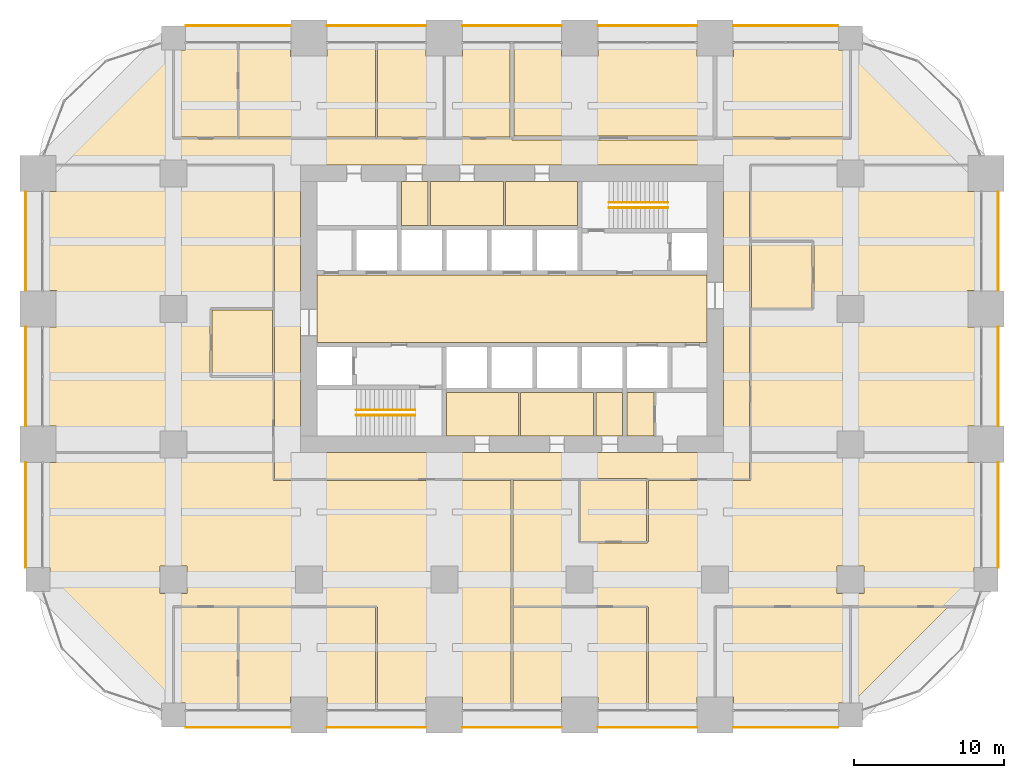
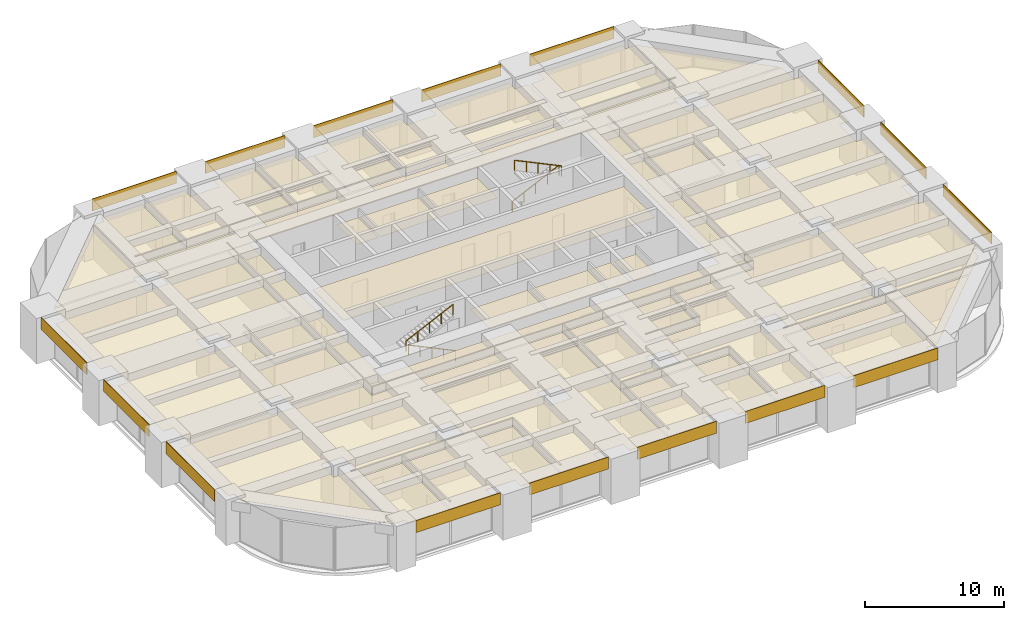
# One storey, part 42 of 42: 44 coverings, 4 railings.
"""IFC4 building model written with IfcOpenShell, lengths in metres."""

from ifc_helpers import new_model, si_unit, direction, frame, frame_2d, origin, origin_2d, place, context, subcontext, project, spatial, polyline, rectangle, circle, outline, extrude, material, layer, layer_set, type_object, element, save


model = new_model("IFC4")

# Units and contexts
model_context = context("Model", 3, precision=1e-05, world=origin(), true_north=direction((0.0, 1.0)))
body_context = subcontext(model_context, "Body", "Model", "MODEL_VIEW")
ifc_project = project(units=[si_unit("LENGTHUNIT", "METRE"), si_unit("AREAUNIT", "SQUARE_METRE"), si_unit("VOLUMEUNIT", "CUBIC_METRE"), si_unit("PLANEANGLEUNIT", "RADIAN"), si_unit("MASSUNIT", "GRAM", prefix="KILO")], contexts=[model_context])

# Site, building, storey
site_placement = place(None, origin())
site = spatial("IfcSite", under=ifc_project, at=site_placement, CompositionType="ELEMENT")
building_placement = place(site_placement, origin())
building = spatial("IfcBuilding", under=site, at=building_placement, Name="Zorevar Civic Tower", CompositionType="ELEMENT")
storey_placement = place(building_placement, frame((0.0, 0.0, 149.0)))
storey = spatial("IfcBuildingStorey", under=building, at=storey_placement, Name="L36", CompositionType="ELEMENT", Elevation=149.0)

# Railings
ifc_material_1 = material(Name="Black steel handrail", Category="steel")
railing_type = type_object("IfcRailingType", Name="Handrail HR1 900", PredefinedType="HANDRAIL", material=ifc_material_1)
railing_1_placement = place(storey_placement, frame((25.050048828125, 19.925048828125, 0.142822265625)))
element("IfcRailing", 1, at=railing_1_placement, inside=storey, type_object=railing_type, Name="Handrail HR1 ST1 L36", PredefinedType="HANDRAIL", context=body_context, shape_type="SweptSolid", body=[
    extrude(circle(Radius=0.02392578125, at=origin_2d()), frame((0.0, 0.0, 0.8759765625), z_axis=(-0.902863652845, 0.0, 0.429926998885), x_axis=(0.0, -1.0, 0.0)), (0.0, 0.0, 1.0), 4.31982421875),
    extrude(circle(Radius=0.02099609375, at=origin_2d()), origin(), (0.0, 0.0, 1.0), 0.851806640625),
    extrude(circle(Radius=0.02099609375, at=origin_2d()), frame((-0.97509765625, 0.0, 0.46435546875)), (0.0, 0.0, 1.0), 0.851806640625),
    extrude(circle(Radius=0.02099609375, at=origin_2d()), frame((-1.9501953125, 0.0, 0.9287109375)), (0.0, 0.0, 1.0), 0.851806640625),
    extrude(circle(Radius=0.02099609375, at=origin_2d()), frame((-2.925048828125, 0.0, 1.392822265625)), (0.0, 0.0, 1.0), 0.851806640625),
    extrude(circle(Radius=0.02099609375, at=origin_2d()), frame((-3.900146484375, 0.0, 1.857177734375)), (0.0, 0.0, 1.0), 0.851806640625),
])
for number, where, name in (
    (2, (21.14990234375, 20.27490234375, 2.142822265625), "Handrail HR1 ST1 L36"),
    (3, (37.949951171875, 34.074951171875, 0.142822265625), "Handrail HR1 ST2 L36"),
):
    element("IfcRailing", number, at=place(storey_placement, frame(where)), inside=storey, type_object=railing_type, Name=name, PredefinedType="HANDRAIL", context=body_context, shape_type="SweptSolid", body=[
        extrude(circle(Radius=0.02392578125, at=origin_2d()), frame((0.0, 0.0, 0.8759765625), z_axis=(0.902863652845, 0.0, 0.429926998885), x_axis=(0.0, 1.0, 0.0)), (0.0, 0.0, 1.0), 4.31982421875),
        extrude(circle(Radius=0.02099609375, at=origin_2d()), origin(), (0.0, 0.0, 1.0), 0.851806640625),
        extrude(circle(Radius=0.02099609375, at=origin_2d()), frame((0.97509765625, 0.0, 0.46435546875)), (0.0, 0.0, 1.0), 0.851806640625),
        extrude(circle(Radius=0.02099609375, at=origin_2d()), frame((1.9501953125, 0.0, 0.9287109375)), (0.0, 0.0, 1.0), 0.851806640625),
        extrude(circle(Radius=0.02099609375, at=origin_2d()), frame((2.925048828125, 0.0, 1.392822265625)), (0.0, 0.0, 1.0), 0.851806640625),
        extrude(circle(Radius=0.02099609375, at=origin_2d()), frame((3.900146484375, 0.0, 1.857177734375)), (0.0, 0.0, 1.0), 0.851806640625),
    ])
railing_2_placement = place(storey_placement, frame((41.85009765625, 33.72509765625, 2.142822265625)))
element("IfcRailing", 4, at=railing_2_placement, inside=storey, type_object=railing_type, Name="Handrail HR1 ST2 L36", PredefinedType="HANDRAIL", context=body_context, shape_type="SweptSolid", body=[
    extrude(circle(Radius=0.02392578125, at=origin_2d()), frame((0.0, 0.0, 0.8759765625), z_axis=(-0.902863652845, 0.0, 0.429926998885), x_axis=(0.0, -1.0, 0.0)), (0.0, 0.0, 1.0), 4.31982421875),
    extrude(circle(Radius=0.02099609375, at=origin_2d()), origin(), (0.0, 0.0, 1.0), 0.851806640625),
    extrude(circle(Radius=0.02099609375, at=origin_2d()), frame((-0.97509765625, 0.0, 0.46435546875)), (0.0, 0.0, 1.0), 0.851806640625),
    extrude(circle(Radius=0.02099609375, at=origin_2d()), frame((-1.9501953125, 0.0, 0.9287109375)), (0.0, 0.0, 1.0), 0.851806640625),
    extrude(circle(Radius=0.02099609375, at=origin_2d()), frame((-2.925048828125, 0.0, 1.392822265625)), (0.0, 0.0, 1.0), 0.851806640625),
    extrude(circle(Radius=0.02099609375, at=origin_2d()), frame((-3.900146484375, 0.0, 1.857177734375)), (0.0, 0.0, 1.0), 0.851806640625),
])

# Coverings
ifc_material_2 = material(Name="Moisture-resistant gypsum board")
ifc_layer_1 = layer(ifc_material_2, 0.012451171875)
ifc_layer_set_1 = layer_set([ifc_layer_1], Name="Moisture-resistant ceiling SC3")
covering_type_1 = type_object("IfcCoveringType", Name="Moisture-resistant ceiling SC3", PredefinedType="CEILING", material=ifc_layer_set_1)
covering_1_placement = place(storey_placement, frame((0.0, 0.0, 3.0)))
element("IfcCovering", 5, at=covering_1_placement, inside=storey, type_object=covering_type_1, Name="Ceiling L36-05", PredefinedType="CEILING", context=body_context, shape_type="SweptSolid", body=[
    extrude(outline(polyline([(31.925048828125, 18.550048828125), (31.925048828125, 21.449951171875), (27.14990234375, 21.449951171875), (27.14990234375, 18.550048828125), (31.925048828125, 18.550048828125)])), origin(), (0.0, 0.0, 1.0), 0.012451171875),
])
covering_2_placement = place(storey_placement, frame((0.0, 0.0, 3.0)))
element("IfcCovering", 6, at=covering_2_placement, inside=storey, type_object=covering_type_1, Name="Ceiling L36-06", PredefinedType="CEILING", context=body_context, shape_type="SweptSolid", body=[
    extrude(outline(polyline([(36.925048828125, 18.550048828125), (36.925048828125, 21.449951171875), (32.074951171875, 21.449951171875), (32.074951171875, 18.550048828125), (36.925048828125, 18.550048828125)])), origin(), (0.0, 0.0, 1.0), 0.012451171875),
])
covering_3_placement = place(storey_placement, frame((0.0, 0.0, 3.0)))
element("IfcCovering", 7, at=covering_3_placement, inside=storey, type_object=covering_type_1, Name="Ceiling L36-07", PredefinedType="CEILING", context=body_context, shape_type="SweptSolid", body=[
    extrude(outline(polyline([(38.85009765625, 18.550048828125), (38.85009765625, 21.449951171875), (37.074951171875, 21.449951171875), (37.074951171875, 18.550048828125), (38.85009765625, 18.550048828125)])), origin(), (0.0, 0.0, 1.0), 0.012451171875),
])
covering_4_placement = place(storey_placement, frame((0.0, 0.0, 3.0)))
element("IfcCovering", 8, at=covering_4_placement, inside=storey, type_object=covering_type_1, Name="Ceiling L36-08", PredefinedType="CEILING", context=body_context, shape_type="SweptSolid", body=[
    extrude(outline(polyline([(35.85009765625, 32.550048828125), (35.85009765625, 35.449951171875), (31.074951171875, 35.449951171875), (31.074951171875, 32.550048828125), (35.85009765625, 32.550048828125)])), origin(), (0.0, 0.0, 1.0), 0.012451171875),
])
covering_5_placement = place(storey_placement, frame((0.0, 0.0, 3.0)))
element("IfcCovering", 9, at=covering_5_placement, inside=storey, type_object=covering_type_1, Name="Ceiling L36-09", PredefinedType="CEILING", context=body_context, shape_type="SweptSolid", body=[
    extrude(outline(polyline([(30.925048828125, 32.550048828125), (30.925048828125, 35.449951171875), (26.074951171875, 35.449951171875), (26.074951171875, 32.550048828125), (30.925048828125, 32.550048828125)])), origin(), (0.0, 0.0, 1.0), 0.012451171875),
])
covering_6_placement = place(storey_placement, frame((0.0, 0.0, 3.0)))
element("IfcCovering", 10, at=covering_6_placement, inside=storey, type_object=covering_type_1, Name="Ceiling L36-10", PredefinedType="CEILING", context=body_context, shape_type="SweptSolid", body=[
    extrude(outline(polyline([(25.925048828125, 32.550048828125), (25.925048828125, 35.449951171875), (24.14990234375, 35.449951171875), (24.14990234375, 32.550048828125), (25.925048828125, 32.550048828125)])), origin(), (0.0, 0.0, 1.0), 0.012451171875),
])
ifc_material_3 = material(Name="Black anodised aluminium spandrel panel", Category="aluminium")
ifc_layer_2 = layer(ifc_material_3, 0.050048828125)
ifc_layer_set_2 = layer_set([ifc_layer_2], Name="Spandrel cladding SP1")
covering_type_2 = type_object("IfcCoveringType", Name="Spandrel cladding SP1", PredefinedType="CLADDING", material=ifc_layer_set_2)
covering_7_placement = place(storey_placement, frame((9.800048828125, -0.824951171875, 2.949951171875), z_axis=(0.0, 0.0, 1.0), x_axis=(1.0, 0.0, 0.0)))
element("IfcCovering", 11, at=covering_7_placement, inside=storey, type_object=covering_type_2, Name="Spandrel cladding L37", PredefinedType="CLADDING", context=body_context, shape_type="SweptSolid", body=[
    extrude(rectangle(XDim=7.0, YDim=0.050048828125, at=frame_2d((3.5, 0.0))), origin(), (0.0, 0.0, 1.0), 1.050048828125),
])
for number, where, z_axis, x_axis, name in (
    (12, (19.199951171875, -0.824951171875, 2.949951171875), (0.0, 0.0, 1.0), (1.0, 0.0, 0.0), "Spandrel cladding L37"),
    (13, (28.199951171875, -0.824951171875, 2.949951171875), (0.0, 0.0, 1.0), (1.0, 0.0, 0.0), "Spandrel cladding L37"),
    (14, (37.199951171875, -0.824951171875, 2.949951171875), (0.0, 0.0, 1.0), (1.0, 0.0, 0.0), "Spandrel cladding L37"),
):
    element("IfcCovering", number, at=place(storey_placement, frame(where, z_axis=z_axis, x_axis=x_axis)), inside=storey, type_object=covering_type_2, Name=name, PredefinedType="CLADDING", context=body_context, shape_type="SweptSolid", body=[
        extrude(rectangle(XDim=6.60009765625, YDim=0.050048828125, at=frame_2d((3.300048828125, 0.0))), origin(), (0.0, 0.0, 1.0), 1.050048828125),
    ])
for number, where, z_axis, x_axis, name in (
    (15, (46.199951171875, -0.824951171875, 2.949951171875), (0.0, 0.0, 1.0), (1.0, 0.0, 0.0), "Spandrel cladding L37"),
    (16, (9.800048828125, 45.824951171875, 2.949951171875), (0.0, 0.0, 1.0), (1.0, 0.0, 0.0), "Spandrel cladding L37"),
):
    element("IfcCovering", number, at=place(storey_placement, frame(where, z_axis=z_axis, x_axis=x_axis)), inside=storey, type_object=covering_type_2, Name=name, PredefinedType="CLADDING", context=body_context, shape_type="SweptSolid", body=[
        extrude(rectangle(XDim=7.0, YDim=0.050048828125, at=frame_2d((3.5, 0.0))), origin(), (0.0, 0.0, 1.0), 1.050048828125),
    ])
for number, where, z_axis, x_axis, name in (
    (17, (19.199951171875, 45.824951171875, 2.949951171875), (0.0, 0.0, 1.0), (1.0, 0.0, 0.0), "Spandrel cladding L37"),
    (18, (28.199951171875, 45.824951171875, 2.949951171875), (0.0, 0.0, 1.0), (1.0, 0.0, 0.0), "Spandrel cladding L37"),
    (19, (37.199951171875, 45.824951171875, 2.949951171875), (0.0, 0.0, 1.0), (1.0, 0.0, 0.0), "Spandrel cladding L37"),
):
    element("IfcCovering", number, at=place(storey_placement, frame(where, z_axis=z_axis, x_axis=x_axis)), inside=storey, type_object=covering_type_2, Name=name, PredefinedType="CLADDING", context=body_context, shape_type="SweptSolid", body=[
        extrude(rectangle(XDim=6.60009765625, YDim=0.050048828125, at=frame_2d((3.300048828125, 0.0))), origin(), (0.0, 0.0, 1.0), 1.050048828125),
    ])
for number, where, z_axis, x_axis, name in (
    (20, (46.199951171875, 45.824951171875, 2.949951171875), (0.0, 0.0, 1.0), (1.0, 0.0, 0.0), "Spandrel cladding L37"),
    (21, (-0.824951171875, 9.800048828125, 2.949951171875), (0.0, 0.0, 1.0), (0.0, 1.0, 0.0), "Spandrel cladding L37"),
):
    element("IfcCovering", number, at=place(storey_placement, frame(where, z_axis=z_axis, x_axis=x_axis)), inside=storey, type_object=covering_type_2, Name=name, PredefinedType="CLADDING", context=body_context, shape_type="SweptSolid", body=[
        extrude(rectangle(XDim=7.0, YDim=0.050048828125, at=frame_2d((3.5, 0.0))), origin(), (0.0, 0.0, 1.0), 1.050048828125),
    ])
for number, where, z_axis, x_axis, name in (
    (22, (-0.824951171875, 19.199951171875, 2.949951171875), (0.0, 0.0, 1.0), (0.0, 1.0, 0.0), "Spandrel cladding L37"),
    (23, (-0.824951171875, 28.199951171875, 2.949951171875), (0.0, 0.0, 1.0), (0.0, 1.0, 0.0), "Spandrel cladding L37"),
):
    element("IfcCovering", number, at=place(storey_placement, frame(where, z_axis=z_axis, x_axis=x_axis)), inside=storey, type_object=covering_type_2, Name=name, PredefinedType="CLADDING", context=body_context, shape_type="SweptSolid", body=[
        extrude(rectangle(XDim=6.60009765625, YDim=0.050048828125, at=frame_2d((3.300048828125, 0.0))), origin(), (0.0, 0.0, 1.0), 1.050048828125),
    ])
covering_8_placement = place(storey_placement, frame((63.824951171875, 9.800048828125, 2.949951171875), z_axis=(0.0, 0.0, 1.0), x_axis=(0.0, 1.0, 0.0)))
element("IfcCovering", 24, at=covering_8_placement, inside=storey, type_object=covering_type_2, Name="Spandrel cladding L37", PredefinedType="CLADDING", context=body_context, shape_type="SweptSolid", body=[
    extrude(rectangle(XDim=7.0, YDim=0.050048828125, at=frame_2d((3.5, 0.0))), origin(), (0.0, 0.0, 1.0), 1.050048828125),
])
for number, where, z_axis, x_axis, name in (
    (25, (63.824951171875, 19.199951171875, 2.949951171875), (0.0, 0.0, 1.0), (0.0, 1.0, 0.0), "Spandrel cladding L37"),
    (26, (63.824951171875, 28.199951171875, 2.949951171875), (0.0, 0.0, 1.0), (0.0, 1.0, 0.0), "Spandrel cladding L37"),
):
    element("IfcCovering", number, at=place(storey_placement, frame(where, z_axis=z_axis, x_axis=x_axis)), inside=storey, type_object=covering_type_2, Name=name, PredefinedType="CLADDING", context=body_context, shape_type="SweptSolid", body=[
        extrude(rectangle(XDim=6.60009765625, YDim=0.050048828125, at=frame_2d((3.300048828125, 0.0))), origin(), (0.0, 0.0, 1.0), 1.050048828125),
    ])
ifc_material_4 = material(Name="Mineral fibre tiles on a concealed grid")
ifc_layer_3 = layer(ifc_material_4, 0.02001953125)
ifc_layer_set_3 = layer_set([ifc_layer_3], Name="Suspended ceiling SC1")
covering_type_3 = type_object("IfcCoveringType", Name="Suspended ceiling SC1", PredefinedType="CEILING", material=ifc_layer_set_3)
covering_9_placement = place(storey_placement, frame((0.0, 0.0, 3.0)))
element("IfcCovering", 27, at=covering_9_placement, inside=storey, type_object=covering_type_3, Name="Ceiling L36-11", PredefinedType="CEILING", context=body_context, shape_type="SweptSolid", body=[
    extrude(outline(polyline([(40.93994140625, 18.550048828125), (40.93994140625, 21.449951171875), (39.14990234375, 21.449951171875), (39.14990234375, 18.550048828125), (40.93994140625, 18.550048828125)])), origin(), (0.0, 0.0, 1.0), 0.02001953125),
])
covering_10_placement = place(storey_placement, frame((0.0, 0.0, 3.0)))
element("IfcCovering", 28, at=covering_10_placement, inside=storey, type_object=covering_type_3, Name="Ceiling L36-16", PredefinedType="CEILING", context=body_context, shape_type="SweptSolid", body=[
    extrude(outline(polyline([(44.449951171875, 24.75), (44.449951171875, 29.25), (18.550048828125, 29.25), (18.550048828125, 24.75), (44.449951171875, 24.75)])), origin(), (0.0, 0.0, 1.0), 0.02001953125),
])
covering_11_placement = place(storey_placement, frame((0.0, 0.0, 3.0)))
element("IfcCovering", 29, at=covering_11_placement, inside=storey, type_object=covering_type_3, Name="Ceiling L36-17", PredefinedType="CEILING", context=body_context, shape_type="SweptSolid", body=[
    extrude(outline(polyline([(9.06005859375, 38.409912109375), (9.06005859375, 44.18994140625), (9.81005859375, 44.18994140625), (9.81005859375, 44.64990234375), (13.239990234375, 44.64990234375), (13.239990234375, 38.409912109375), (9.06005859375, 38.409912109375)])), origin(), (0.0, 0.0, 1.0), 0.02001953125),
])
covering_12_placement = place(storey_placement, frame((0.0, 0.0, 3.0)))
element("IfcCovering", 30, at=covering_12_placement, inside=storey, type_object=covering_type_3, Name="Ceiling L36-18", PredefinedType="CEILING", context=body_context, shape_type="SweptSolid", body=[
    extrude(outline(polyline([(13.360107421875, 38.409912109375), (13.360107421875, 44.64990234375), (16.7900390625, 44.64990234375), (16.7900390625, 43.7900390625), (19.2099609375, 43.7900390625), (19.2099609375, 44.64990234375), (22.43994140625, 44.64990234375), (22.43994140625, 38.409912109375), (13.360107421875, 38.409912109375)])), origin(), (0.0, 0.0, 1.0), 0.02001953125),
])
covering_13_placement = place(storey_placement, frame((0.0, 0.0, 3.0)))
element("IfcCovering", 31, at=covering_13_placement, inside=storey, type_object=covering_type_3, Name="Ceiling L36-19", PredefinedType="CEILING", context=body_context, shape_type="SweptSolid", body=[
    extrude(outline(polyline([(22.56005859375, 38.409912109375), (22.56005859375, 44.64990234375), (25.7900390625, 44.64990234375), (25.7900390625, 43.7900390625), (26.93994140625, 43.7900390625), (26.93994140625, 38.409912109375), (22.56005859375, 38.409912109375)])), origin(), (0.0, 0.0, 1.0), 0.02001953125),
])
covering_14_placement = place(storey_placement, frame((0.0, 0.0, 3.0)))
element("IfcCovering", 32, at=covering_14_placement, inside=storey, type_object=covering_type_3, Name="Ceiling L36-20", PredefinedType="CEILING", context=body_context, shape_type="SweptSolid", body=[
    extrude(outline(polyline([(27.06005859375, 38.409912109375), (27.06005859375, 43.7900390625), (28.2099609375, 43.7900390625), (28.2099609375, 44.64990234375), (31.375, 44.64990234375), (31.375, 38.409912109375), (27.06005859375, 38.409912109375)])), origin(), (0.0, 0.0, 1.0), 0.02001953125),
])
covering_15_placement = place(storey_placement, frame((0.0, 0.0, 3.0)))
element("IfcCovering", 33, at=covering_15_placement, inside=storey, type_object=covering_type_3, Name="Ceiling L36-21", PredefinedType="CEILING", context=body_context, shape_type="SweptSolid", body=[
    extrude(outline(polyline([(34.7900390625, 44.64990234375), (34.7900390625, 43.7900390625), (37.2099609375, 43.7900390625), (37.2099609375, 44.64990234375), (43.7900390625, 44.64990234375), (43.7900390625, 43.7900390625), (44.875, 43.7900390625), (44.875, 38.47509765625), (31.625, 38.47509765625), (31.625, 44.64990234375), (34.7900390625, 44.64990234375)])), origin(), (0.0, 0.0, 1.0), 0.02001953125),
])
covering_16_placement = place(storey_placement, frame((0.0, 0.0, 3.0)))
element("IfcCovering", 34, at=covering_16_placement, inside=storey, type_object=covering_type_3, Name="Ceiling L36-22", PredefinedType="CEILING", context=body_context, shape_type="SweptSolid", body=[
    extrude(outline(polyline([(46.2099609375, 43.7900390625), (46.2099609375, 44.64990234375), (53.18994140625, 44.64990234375), (53.18994140625, 44.18994140625), (53.93994140625, 44.18994140625), (53.93994140625, 38.409912109375), (45.125, 38.409912109375), (45.125, 43.7900390625), (46.2099609375, 43.7900390625)])), origin(), (0.0, 0.0, 1.0), 0.02001953125),
])
covering_17_placement = place(storey_placement, frame((0.0, 0.0, 3.0)))
element("IfcCovering", 35, at=covering_17_placement, inside=storey, type_object=covering_type_3, Name="Ceiling L36-23", PredefinedType="CEILING", context=body_context, shape_type="SweptSolid", body=[
    extrude(outline(polyline([(13.239990234375, 7.139892578125), (13.239990234375, 0.35009765625), (9.81005859375, 0.35009765625), (9.81005859375, 0.81005859375), (9.06005859375, 0.81005859375), (9.06005859375, 7.139892578125), (13.239990234375, 7.139892578125)])), origin(), (0.0, 0.0, 1.0), 0.02001953125),
])
covering_18_placement = place(storey_placement, frame((0.0, 0.0, 3.0)))
element("IfcCovering", 36, at=covering_18_placement, inside=storey, type_object=covering_type_3, Name="Ceiling L36-24", PredefinedType="CEILING", context=body_context, shape_type="SweptSolid", body=[
    extrude(outline(polyline([(22.43994140625, 7.139892578125), (22.43994140625, 0.35009765625), (19.2099609375, 0.35009765625), (19.2099609375, 1.2099609375), (16.7900390625, 1.2099609375), (16.7900390625, 0.35009765625), (13.360107421875, 0.35009765625), (13.360107421875, 7.139892578125), (22.43994140625, 7.139892578125)])), origin(), (0.0, 0.0, 1.0), 0.02001953125),
])
covering_19_placement = place(storey_placement, frame((0.0, 0.0, 3.0)))
element("IfcCovering", 37, at=covering_19_placement, inside=storey, type_object=covering_type_3, Name="Ceiling L36-25", PredefinedType="CEILING", context=body_context, shape_type="SweptSolid", body=[
    extrude(outline(polyline([(40.43994140625, 7.139892578125), (40.43994140625, 0.35009765625), (37.2099609375, 0.35009765625), (37.2099609375, 1.2099609375), (34.7900390625, 1.2099609375), (34.7900390625, 0.35009765625), (31.56005859375, 0.35009765625), (31.56005859375, 7.139892578125), (40.43994140625, 7.139892578125)])), origin(), (0.0, 0.0, 1.0), 0.02001953125),
])
covering_20_placement = place(storey_placement, frame((0.0, 0.0, 3.0)))
element("IfcCovering", 38, at=covering_20_placement, inside=storey, type_object=covering_type_3, Name="Ceiling L36-26", PredefinedType="CEILING", context=body_context, shape_type="SweptSolid", body=[
    extrude(outline(polyline([(46.2099609375, 0.35009765625), (46.2099609375, 1.2099609375), (45.06005859375, 1.2099609375), (45.06005859375, 7.139892578125), (53.93994140625, 7.139892578125), (53.93994140625, 0.81005859375), (53.18994140625, 0.81005859375), (53.18994140625, 0.35009765625), (46.2099609375, 0.35009765625)])), origin(), (0.0, 0.0, 1.0), 0.02001953125),
])
covering_21_placement = place(storey_placement, frame((0.0, 0.0, 3.0)))
element("IfcCovering", 39, at=covering_21_placement, inside=storey, type_object=covering_type_3, Name="Ceiling L36-27", PredefinedType="CEILING", context=body_context, shape_type="SweptSolid", body=[
    extrude(outline(polyline([(36.06005859375, 15.590087890625), (40.43994140625, 15.590087890625), (40.43994140625, 11.550048828125), (36.06005859375, 11.550048828125), (36.06005859375, 15.590087890625)])), origin(), (0.0, 0.0, 1.0), 0.02001953125),
])
covering_22_placement = place(storey_placement, frame((0.0, 0.0, 3.0)))
element("IfcCovering", 40, at=covering_22_placement, inside=storey, type_object=covering_type_3, Name="Ceiling L36-28", PredefinedType="CEILING", context=body_context, shape_type="SweptSolid", body=[
    extrude(outline(polyline([(15.590087890625, 26.93994140625), (15.590087890625, 22.56005859375), (11.56005859375, 22.56005859375), (11.56005859375, 26.93994140625), (15.590087890625, 26.93994140625)])), origin(), (0.0, 0.0, 1.0), 0.02001953125),
])
covering_23_placement = place(storey_placement, frame((0.0, 0.0, 3.0)))
element("IfcCovering", 41, at=covering_23_placement, inside=storey, type_object=covering_type_3, Name="Ceiling L36-29", PredefinedType="CEILING", context=body_context, shape_type="SweptSolid", body=[
    extrude(outline(polyline([(51.43994140625, 27.06005859375), (47.409912109375, 27.06005859375), (47.409912109375, 31.43994140625), (51.43994140625, 31.43994140625), (51.43994140625, 27.06005859375)])), origin(), (0.0, 0.0, 1.0), 0.02001953125),
])
covering_24_placement = place(storey_placement, frame((0.0, 0.0, 3.0)))
element("IfcCovering", 42, at=covering_24_placement, inside=storey, type_object=covering_type_3, Name="Ceiling L36-30", PredefinedType="CEILING", context=body_context, shape_type="SweptSolid", body=[
    extrude(outline(polyline([(54.06005859375, 0.81005859375), (54.06005859375, 7.139892578125), (60.432861328125, 7.139892578125), (54.102783203125, 0.81005859375), (54.06005859375, 0.81005859375)])), origin(), (0.0, 0.0, 1.0), 0.02001953125),
])
covering_25_placement = place(storey_placement, frame((0.0, 0.0, 3.0)))
element("IfcCovering", 43, at=covering_25_placement, inside=storey, type_object=covering_type_3, Name="Ceiling L36-31", PredefinedType="CEILING", context=body_context, shape_type="SweptSolid", body=[
    extrude(outline(polyline([(47.300048828125, 31.5), (47.2900390625, 31.5), (47.2900390625, 27.0), (47.300048828125, 27.0), (47.300048828125, 15.699951171875), (40.5, 15.699951171875), (40.5, 15.7099609375), (36.0, 15.7099609375), (36.0, 15.699951171875), (15.699951171875, 15.699951171875), (15.699951171875, 22.5), (15.7099609375, 22.5), (15.7099609375, 27.0), (15.699951171875, 27.0), (15.699951171875, 36.550048828125), (17.449951171875, 36.550048828125), (17.449951171875, 17.449951171875), (45.550048828125, 17.449951171875), (45.550048828125, 36.550048828125), (47.300048828125, 36.550048828125), (47.300048828125, 31.5)])), origin(), (0.0, 0.0, 1.0), 0.02001953125),
])
covering_26_placement = place(storey_placement, frame((0.0, 0.0, 3.0)))
element("IfcCovering", 44, at=covering_26_placement, inside=storey, type_object=covering_type_3, Name="Ceiling L36-32", PredefinedType="CEILING", context=body_context, shape_type="SweptSolid", body=[
    extrude(outline(polyline([(51.5, 31.56005859375), (47.39990234375, 31.56005859375), (47.39990234375, 36.5), (53.090087890625, 36.5), (53.090087890625, 35.090087890625), (54.909912109375, 35.090087890625), (54.909912109375, 36.5), (61.7900390625, 36.5), (61.7900390625, 34.7900390625), (62.64990234375, 34.7900390625), (62.64990234375, 28.2099609375), (61.7900390625, 28.2099609375), (61.7900390625, 25.7900390625), (62.64990234375, 25.7900390625), (62.64990234375, 19.2099609375), (61.7900390625, 19.2099609375), (61.7900390625, 17.5), (54.909912109375, 17.5), (54.909912109375, 18.909912109375), (53.090087890625, 18.909912109375), (53.090087890625, 17.5), (47.39990234375, 17.5), (47.39990234375, 26.93994140625), (51.5, 26.93994140625), (51.5, 27.0), (51.56005859375, 27.0), (51.56005859375, 31.5), (51.5, 31.5), (51.5, 31.56005859375)]), holes=[polyline([(54.909912109375, 27.909912109375), (53.090087890625, 27.909912109375), (53.090087890625, 26.090087890625), (54.909912109375, 26.090087890625), (54.909912109375, 27.909912109375)])]), origin(), (0.0, 0.0, 1.0), 0.02001953125),
])
covering_27_placement = place(storey_placement, frame((0.0, 0.0, 3.0)))
element("IfcCovering", 45, at=covering_27_placement, inside=storey, type_object=covering_type_3, Name="Ceiling L36-33", PredefinedType="CEILING", context=body_context, shape_type="SweptSolid", body=[
    extrude(outline(polyline([(9.0, 38.35009765625), (9.0, 38.2900390625), (31.5, 38.2900390625), (31.5, 38.22509765625), (45.0, 38.22509765625), (45.0, 38.2900390625), (54.0, 38.2900390625), (54.0, 38.35009765625), (54.06005859375, 38.35009765625), (54.06005859375, 44.18994140625), (54.102783203125, 44.18994140625), (61.69287109375, 36.60009765625), (54.909912109375, 36.60009765625), (54.909912109375, 36.909912109375), (53.090087890625, 36.909912109375), (53.090087890625, 36.60009765625), (47.35009765625, 36.60009765625), (47.35009765625, 36.550048828125), (15.64990234375, 36.550048828125), (15.64990234375, 36.60009765625), (9.909912109375, 36.60009765625), (9.909912109375, 36.909912109375), (8.090087890625, 36.909912109375), (8.090087890625, 36.60009765625), (1.30712890625, 36.60009765625), (8.897216796875, 44.18994140625), (8.93994140625, 44.18994140625), (8.93994140625, 38.35009765625), (9.0, 38.35009765625)])), origin(), (0.0, 0.0, 1.0), 0.02001953125),
])
covering_28_placement = place(storey_placement, frame((0.0, 0.0, 3.0)))
element("IfcCovering", 46, at=covering_28_placement, inside=storey, type_object=covering_type_3, Name="Ceiling L36-34", PredefinedType="CEILING", context=body_context, shape_type="SweptSolid", body=[
    extrude(outline(polyline([(0.81005859375, 9.81005859375), (0.35009765625, 9.81005859375), (0.35009765625, 16.7900390625), (1.2099609375, 16.7900390625), (1.2099609375, 17.39990234375), (8.090087890625, 17.39990234375), (8.090087890625, 17.090087890625), (9.909912109375, 17.090087890625), (9.909912109375, 17.39990234375), (15.60009765625, 17.39990234375), (15.60009765625, 15.64990234375), (15.64990234375, 15.64990234375), (15.64990234375, 15.60009765625), (31.449951171875, 15.60009765625), (31.449951171875, 7.199951171875), (31.43994140625, 7.199951171875), (31.43994140625, 0.35009765625), (28.2099609375, 0.35009765625), (28.2099609375, 1.2099609375), (25.7900390625, 1.2099609375), (25.7900390625, 0.35009765625), (22.56005859375, 0.35009765625), (22.56005859375, 7.199951171875), (22.5, 7.199951171875), (22.5, 7.260009765625), (9.0, 7.260009765625), (9.0, 7.199951171875), (8.93994140625, 7.199951171875), (8.93994140625, 0.81005859375), (8.897216796875, 0.81005859375), (0.81005859375, 8.897216796875), (0.81005859375, 9.81005859375)]), holes=[polyline([(8.090087890625, 9.909912109375), (8.090087890625, 8.090087890625), (9.909912109375, 8.090087890625), (9.909912109375, 9.909912109375), (8.090087890625, 9.909912109375)]), polyline([(18.909912109375, 8.090087890625), (18.909912109375, 9.909912109375), (17.090087890625, 9.909912109375), (17.090087890625, 8.090087890625), (18.909912109375, 8.090087890625)]), polyline([(26.090087890625, 9.909912109375), (26.090087890625, 8.090087890625), (27.909912109375, 8.090087890625), (27.909912109375, 9.909912109375), (26.090087890625, 9.909912109375)])]), origin(), (0.0, 0.0, 1.0), 0.02001953125),
])
covering_29_placement = place(storey_placement, frame((0.0, 0.0, 3.0)))
element("IfcCovering", 47, at=covering_29_placement, inside=storey, type_object=covering_type_3, Name="Ceiling L36-35", PredefinedType="CEILING", context=body_context, shape_type="SweptSolid", body=[
    extrude(outline(polyline([(47.39990234375, 15.64990234375), (47.39990234375, 17.39990234375), (53.090087890625, 17.39990234375), (53.090087890625, 17.090087890625), (54.909912109375, 17.090087890625), (54.909912109375, 17.39990234375), (61.7900390625, 17.39990234375), (61.7900390625, 16.7900390625), (62.64990234375, 16.7900390625), (62.64990234375, 9.81005859375), (62.18994140625, 9.81005859375), (62.18994140625, 8.897216796875), (60.552978515625, 7.260009765625), (45.0, 7.260009765625), (45.0, 7.199951171875), (44.93994140625, 7.199951171875), (44.93994140625, 1.2099609375), (43.7900390625, 1.2099609375), (43.7900390625, 0.35009765625), (40.56005859375, 0.35009765625), (40.56005859375, 7.199951171875), (40.5, 7.199951171875), (40.5, 7.260009765625), (31.550048828125, 7.260009765625), (31.550048828125, 15.60009765625), (35.93994140625, 15.60009765625), (35.93994140625, 11.5), (36.0, 11.5), (36.0, 11.449951171875), (40.5, 11.449951171875), (40.5, 11.5), (40.56005859375, 11.5), (40.56005859375, 15.60009765625), (47.35009765625, 15.60009765625), (47.35009765625, 15.64990234375), (47.39990234375, 15.64990234375)]), holes=[polyline([(36.909912109375, 8.090087890625), (36.909912109375, 9.909912109375), (35.090087890625, 9.909912109375), (35.090087890625, 8.090087890625), (36.909912109375, 8.090087890625)]), polyline([(44.090087890625, 9.909912109375), (44.090087890625, 8.090087890625), (45.909912109375, 8.090087890625), (45.909912109375, 9.909912109375), (44.090087890625, 9.909912109375)]), polyline([(54.909912109375, 9.909912109375), (53.090087890625, 9.909912109375), (53.090087890625, 8.090087890625), (54.909912109375, 8.090087890625), (54.909912109375, 9.909912109375)])]), origin(), (0.0, 0.0, 1.0), 0.02001953125),
])
covering_30_placement = place(storey_placement, frame((0.0, 0.0, 3.0)))
element("IfcCovering", 48, at=covering_30_placement, inside=storey, type_object=covering_type_3, Name="Ceiling L36-36", PredefinedType="CEILING", context=body_context, shape_type="SweptSolid", body=[
    extrude(outline(polyline([(9.909912109375, 18.909912109375), (8.090087890625, 18.909912109375), (8.090087890625, 17.5), (1.2099609375, 17.5), (1.2099609375, 19.2099609375), (0.35009765625, 19.2099609375), (0.35009765625, 25.7900390625), (1.2099609375, 25.7900390625), (1.2099609375, 28.2099609375), (0.35009765625, 28.2099609375), (0.35009765625, 34.7900390625), (1.2099609375, 34.7900390625), (1.2099609375, 36.5), (8.090087890625, 36.5), (8.090087890625, 35.090087890625), (9.909912109375, 35.090087890625), (9.909912109375, 36.5), (15.60009765625, 36.5), (15.60009765625, 27.06005859375), (11.5, 27.06005859375), (11.5, 27.0), (11.43994140625, 27.0), (11.43994140625, 22.5), (11.5, 22.5), (11.5, 22.43994140625), (15.60009765625, 22.43994140625), (15.60009765625, 17.5), (9.909912109375, 17.5), (9.909912109375, 18.909912109375)]), holes=[polyline([(8.090087890625, 27.909912109375), (8.090087890625, 26.090087890625), (9.909912109375, 26.090087890625), (9.909912109375, 27.909912109375), (8.090087890625, 27.909912109375)])]), origin(), (0.0, 0.0, 1.0), 0.02001953125),
])

save(model, "model.ifc")
